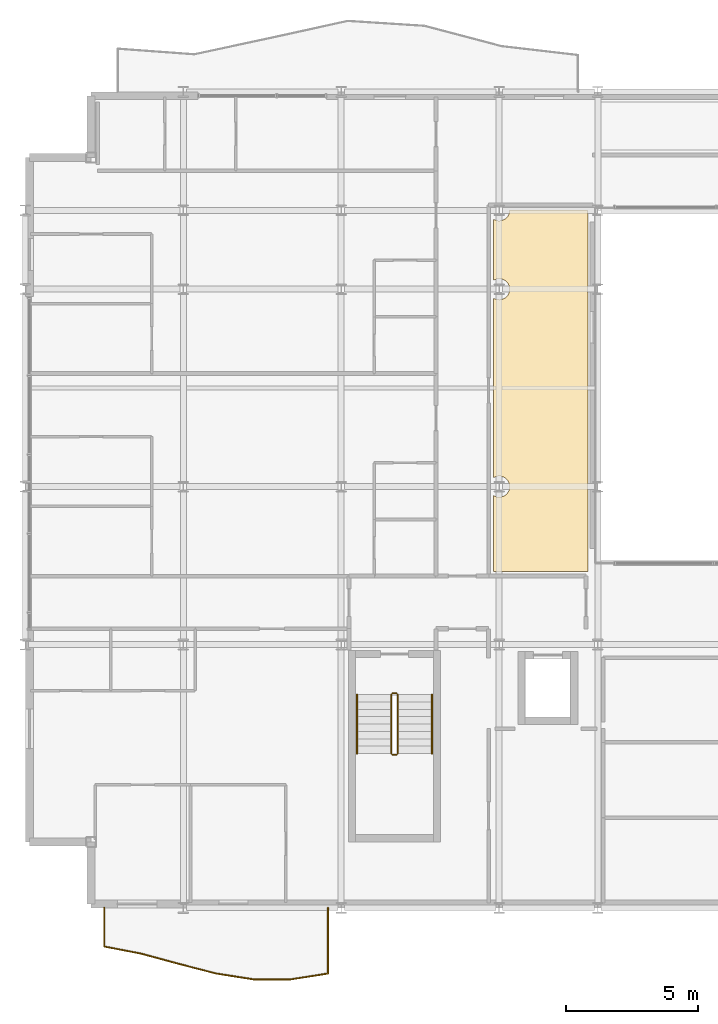
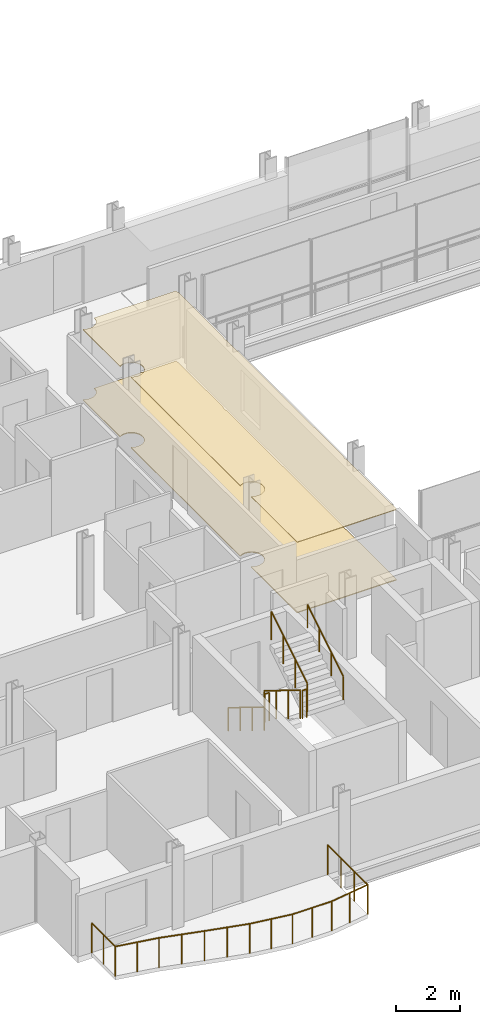
# One storey, part 39 of 41: 7 railings, 2 coverings.
"""IFC4 building model written with IfcOpenShell, lengths in metres."""

from ifc_helpers import new_model, si_unit, direction, frame, origin, origin_2d, place, context, subcontext, project, spatial, polyline, circle, outline, extrude, material, layer, layer_set, type_object, element, save


model = new_model("IFC4")

# Units and contexts
model_context = context("Model", 3, precision=1e-05, world=origin(), true_north=direction((0.0, 1.0)))
body_context = subcontext(model_context, "Body", "Model", "MODEL_VIEW")
ifc_project = project(units=[si_unit("LENGTHUNIT", "METRE"), si_unit("AREAUNIT", "SQUARE_METRE"), si_unit("VOLUMEUNIT", "CUBIC_METRE"), si_unit("PLANEANGLEUNIT", "RADIAN"), si_unit("MASSUNIT", "GRAM", prefix="KILO")], contexts=[model_context])

# Site, building, storey
site_placement = place(None, origin())
site = spatial("IfcSite", under=ifc_project, at=site_placement, CompositionType="ELEMENT")
building_placement = place(site_placement, origin())
building = spatial("IfcBuilding", under=site, at=building_placement, Name="Brevholm Reach", CompositionType="ELEMENT")
storey_placement = place(building_placement, frame((0.0, 0.0, 138.699951171875)))
storey = spatial("IfcBuildingStorey", under=building, at=storey_placement, Name="L41", CompositionType="ELEMENT", Elevation=138.699951171875)

# Coverings
ifc_material_1 = material(Name="Moisture-Resistant Skimmed Gypsum Plasterboard Ceiling", Category="gypsum")
ifc_layer_1 = layer(ifc_material_1, 0.030029296875)
ifc_layer_set_1 = layer_set([ifc_layer_1], Name="Moisture-Resistant Skimmed Gypsum Plasterboard Ceiling")
covering_type_1 = type_object("IfcCoveringType", Name="COV-CLG-GYP", PredefinedType="CEILING", material=ifc_layer_set_1)
covering_1_placement = place(storey_placement, frame((0.0, 0.0, 2.679931640625)))
element("IfcCovering", 1, at=covering_1_placement, inside=storey, type_object=covering_type_1, Name="L41 Suspended Ceiling L41-53", PredefinedType="CEILING", context=body_context, shape_type="SweptSolid", body=[
    extrude(outline(polyline([(21.3701171875, 23.623779296875), (21.3671875, 23.6162109375), (21.357666015625, 23.577880859375), (21.351806640625, 23.539306640625), (21.35009765625, 23.5), (21.351806640625, 23.460693359375), (21.357666015625, 23.422119140625), (21.3671875, 23.3837890625), (21.3701171875, 23.376220703125), (21.3701171875, 16.123779296875), (21.3671875, 16.1162109375), (21.357666015625, 16.077880859375), (21.351806640625, 16.039306640625), (21.35009765625, 16.0), (21.351806640625, 15.960693359375), (21.357666015625, 15.922119140625), (21.3671875, 15.8837890625), (21.3701171875, 15.876220703125), (21.3701171875, 12.783935546875), (17.783935546875, 12.783935546875), (17.783935546875, 15.663818359375), (17.811279296875, 15.647216796875), (17.846923828125, 15.63037109375), (17.8837890625, 15.6171875), (17.922119140625, 15.607666015625), (17.960693359375, 15.601806640625), (18.0, 15.60009765625), (18.039306640625, 15.601806640625), (18.077880859375, 15.607666015625), (18.1162109375, 15.6171875), (18.153076171875, 15.63037109375), (18.188720703125, 15.647216796875), (18.22216796875, 15.66748046875), (18.25390625, 15.69091796875), (18.28271484375, 15.71728515625), (18.30908203125, 15.74609375), (18.33251953125, 15.77783203125), (18.352783203125, 15.811279296875), (18.36962890625, 15.846923828125), (18.3828125, 15.8837890625), (18.392333984375, 15.922119140625), (18.398193359375, 15.960693359375), (18.39990234375, 16.0), (18.398193359375, 16.039306640625), (18.392333984375, 16.077880859375), (18.3828125, 16.1162109375), (18.36962890625, 16.153076171875), (18.352783203125, 16.188720703125), (18.33251953125, 16.22216796875), (18.30908203125, 16.25390625), (18.28271484375, 16.28271484375), (18.25390625, 16.30908203125), (18.22216796875, 16.33251953125), (18.188720703125, 16.352783203125), (18.153076171875, 16.36962890625), (18.1162109375, 16.3828125), (18.077880859375, 16.392333984375), (18.039306640625, 16.398193359375), (18.0, 16.39990234375), (17.960693359375, 16.398193359375), (17.922119140625, 16.392333984375), (17.8837890625, 16.3828125), (17.846923828125, 16.36962890625), (17.811279296875, 16.352783203125), (17.783935546875, 16.336181640625), (17.783935546875, 23.163818359375), (17.811279296875, 23.147216796875), (17.846923828125, 23.13037109375), (17.8837890625, 23.1171875), (17.922119140625, 23.107666015625), (17.960693359375, 23.101806640625), (18.0, 23.10009765625), (18.039306640625, 23.101806640625), (18.077880859375, 23.107666015625), (18.1162109375, 23.1171875), (18.153076171875, 23.13037109375), (18.188720703125, 23.147216796875), (18.22216796875, 23.16748046875), (18.25390625, 23.19091796875), (18.28271484375, 23.21728515625), (18.30908203125, 23.24609375), (18.33251953125, 23.27783203125), (18.352783203125, 23.311279296875), (18.36962890625, 23.346923828125), (18.3828125, 23.3837890625), (18.392333984375, 23.422119140625), (18.398193359375, 23.460693359375), (18.39990234375, 23.5), (18.398193359375, 23.539306640625), (18.392333984375, 23.577880859375), (18.3828125, 23.6162109375), (18.36962890625, 23.653076171875), (18.352783203125, 23.688720703125), (18.33251953125, 23.72216796875), (18.30908203125, 23.75390625), (18.28271484375, 23.78271484375), (18.25390625, 23.80908203125), (18.22216796875, 23.83251953125), (18.188720703125, 23.852783203125), (18.153076171875, 23.86962890625), (18.1162109375, 23.8828125), (18.077880859375, 23.892333984375), (18.039306640625, 23.898193359375), (18.0, 23.89990234375), (17.960693359375, 23.898193359375), (17.922119140625, 23.892333984375), (17.8837890625, 23.8828125), (17.846923828125, 23.86962890625), (17.811279296875, 23.852783203125), (17.783935546875, 23.836181640625), (17.783935546875, 26.163818359375), (17.811279296875, 26.147216796875), (17.846923828125, 26.13037109375), (17.8837890625, 26.1171875), (17.922119140625, 26.107666015625), (17.960693359375, 26.101806640625), (18.0, 26.10009765625), (18.039306640625, 26.101806640625), (18.077880859375, 26.107666015625), (18.1162109375, 26.1171875), (18.153076171875, 26.13037109375), (18.188720703125, 26.147216796875), (18.22216796875, 26.16748046875), (18.25390625, 26.19091796875), (18.28271484375, 26.21728515625), (18.30908203125, 26.24609375), (18.33251953125, 26.27783203125), (18.352783203125, 26.311279296875), (18.36962890625, 26.346923828125), (18.3828125, 26.3837890625), (18.392333984375, 26.422119140625), (18.398193359375, 26.460693359375), (18.39990234375, 26.5), (18.399169921875, 26.51611328125), (21.350830078125, 26.51611328125), (21.35009765625, 26.5), (21.351806640625, 26.460693359375), (21.357666015625, 26.422119140625), (21.3671875, 26.3837890625), (21.3701171875, 26.376220703125), (21.3701171875, 23.623779296875)])), origin(), (0.0, 0.0, 1.0), 0.030029296875),
])
ifc_material_2 = material(Name="Honed Portland-Aggregate Resin Terrazzo Flooring", Category="concrete")
ifc_layer_2 = layer(ifc_material_2, 0.031982421875)
ifc_layer_set_2 = layer_set([ifc_layer_2], Name="Honed Portland-Aggregate Resin Terrazzo Flooring")
covering_type_2 = type_object("IfcCoveringType", Name="COV-FLR-TRZ", PredefinedType="FLOORING", material=ifc_layer_set_2)
covering_2_placement = place(storey_placement, origin())
element("IfcCovering", 2, at=covering_2_placement, inside=storey, type_object=covering_type_2, Name="L41 Floor Finish L41-53", PredefinedType="FLOORING", context=body_context, shape_type="SweptSolid", body=[
    extrude(outline(polyline([(21.3701171875, 23.623779296875), (21.3671875, 23.6162109375), (21.357666015625, 23.577880859375), (21.351806640625, 23.539306640625), (21.35009765625, 23.5), (21.351806640625, 23.460693359375), (21.357666015625, 23.422119140625), (21.3671875, 23.3837890625), (21.3701171875, 23.376220703125), (21.3701171875, 16.123779296875), (21.3671875, 16.1162109375), (21.357666015625, 16.077880859375), (21.351806640625, 16.039306640625), (21.35009765625, 16.0), (21.351806640625, 15.960693359375), (21.357666015625, 15.922119140625), (21.3671875, 15.8837890625), (21.3701171875, 15.876220703125), (21.3701171875, 12.783935546875), (17.783935546875, 12.783935546875), (17.783935546875, 15.663818359375), (17.811279296875, 15.647216796875), (17.846923828125, 15.63037109375), (17.8837890625, 15.6171875), (17.922119140625, 15.607666015625), (17.960693359375, 15.601806640625), (18.0, 15.60009765625), (18.039306640625, 15.601806640625), (18.077880859375, 15.607666015625), (18.1162109375, 15.6171875), (18.153076171875, 15.63037109375), (18.188720703125, 15.647216796875), (18.22216796875, 15.66748046875), (18.25390625, 15.69091796875), (18.28271484375, 15.71728515625), (18.30908203125, 15.74609375), (18.33251953125, 15.77783203125), (18.352783203125, 15.811279296875), (18.36962890625, 15.846923828125), (18.3828125, 15.8837890625), (18.392333984375, 15.922119140625), (18.398193359375, 15.960693359375), (18.39990234375, 16.0), (18.398193359375, 16.039306640625), (18.392333984375, 16.077880859375), (18.3828125, 16.1162109375), (18.36962890625, 16.153076171875), (18.352783203125, 16.188720703125), (18.33251953125, 16.22216796875), (18.30908203125, 16.25390625), (18.28271484375, 16.28271484375), (18.25390625, 16.30908203125), (18.22216796875, 16.33251953125), (18.188720703125, 16.352783203125), (18.153076171875, 16.36962890625), (18.1162109375, 16.3828125), (18.077880859375, 16.392333984375), (18.039306640625, 16.398193359375), (18.0, 16.39990234375), (17.960693359375, 16.398193359375), (17.922119140625, 16.392333984375), (17.8837890625, 16.3828125), (17.846923828125, 16.36962890625), (17.811279296875, 16.352783203125), (17.783935546875, 16.336181640625), (17.783935546875, 23.163818359375), (17.811279296875, 23.147216796875), (17.846923828125, 23.13037109375), (17.8837890625, 23.1171875), (17.922119140625, 23.107666015625), (17.960693359375, 23.101806640625), (18.0, 23.10009765625), (18.039306640625, 23.101806640625), (18.077880859375, 23.107666015625), (18.1162109375, 23.1171875), (18.153076171875, 23.13037109375), (18.188720703125, 23.147216796875), (18.22216796875, 23.16748046875), (18.25390625, 23.19091796875), (18.28271484375, 23.21728515625), (18.30908203125, 23.24609375), (18.33251953125, 23.27783203125), (18.352783203125, 23.311279296875), (18.36962890625, 23.346923828125), (18.3828125, 23.3837890625), (18.392333984375, 23.422119140625), (18.398193359375, 23.460693359375), (18.39990234375, 23.5), (18.398193359375, 23.539306640625), (18.392333984375, 23.577880859375), (18.3828125, 23.6162109375), (18.36962890625, 23.653076171875), (18.352783203125, 23.688720703125), (18.33251953125, 23.72216796875), (18.30908203125, 23.75390625), (18.28271484375, 23.78271484375), (18.25390625, 23.80908203125), (18.22216796875, 23.83251953125), (18.188720703125, 23.852783203125), (18.153076171875, 23.86962890625), (18.1162109375, 23.8828125), (18.077880859375, 23.892333984375), (18.039306640625, 23.898193359375), (18.0, 23.89990234375), (17.960693359375, 23.898193359375), (17.922119140625, 23.892333984375), (17.8837890625, 23.8828125), (17.846923828125, 23.86962890625), (17.811279296875, 23.852783203125), (17.783935546875, 23.836181640625), (17.783935546875, 26.163818359375), (17.811279296875, 26.147216796875), (17.846923828125, 26.13037109375), (17.8837890625, 26.1171875), (17.922119140625, 26.107666015625), (17.960693359375, 26.101806640625), (18.0, 26.10009765625), (18.039306640625, 26.101806640625), (18.077880859375, 26.107666015625), (18.1162109375, 26.1171875), (18.153076171875, 26.13037109375), (18.188720703125, 26.147216796875), (18.22216796875, 26.16748046875), (18.25390625, 26.19091796875), (18.28271484375, 26.21728515625), (18.30908203125, 26.24609375), (18.33251953125, 26.27783203125), (18.352783203125, 26.311279296875), (18.36962890625, 26.346923828125), (18.3828125, 26.3837890625), (18.392333984375, 26.422119140625), (18.398193359375, 26.460693359375), (18.39990234375, 26.5), (18.399169921875, 26.51611328125), (21.350830078125, 26.51611328125), (21.35009765625, 26.5), (21.351806640625, 26.460693359375), (21.357666015625, 26.422119140625), (21.3671875, 26.3837890625), (21.3701171875, 26.376220703125), (21.3701171875, 23.623779296875)])), origin(), (0.0, 0.0, 1.0), 0.031982421875),
])

# Railings
ifc_material_3 = material(Name="Brushed Stainless Steel EN 1.4401 and Laminated Glass", Category="steel")
railing_type_1 = type_object("IfcRailingType", Name="RAL-BALC-1150", PredefinedType="BALUSTRADE", material=ifc_material_3)
railing_1_placement = place(storey_placement, frame((3.0, 0.0, 0.0)))
element("IfcRailing", 3, at=railing_1_placement, inside=storey, type_object=railing_type_1, Name="L41 Guard Balustrade RAL-L41-BAL-SW", PredefinedType="BALUSTRADE", context=body_context, shape_type="SweptSolid", body=[
    extrude(circle(Radius=0.02392578125, at=origin_2d()), frame((0.0, 0.0, 1.1259765625), z_axis=(0.0, -1.0, 0.0), x_axis=(1.0, 0.0, 0.0)), (0.0, 0.0, 1.0), 1.4736328125),
    extrude(circle(Radius=0.02392578125, at=origin_2d()), frame((0.0, -1.4736328125, 1.1259765625), z_axis=(0.981784941083, -0.189995603797, 0.0), x_axis=(0.189995603797, 0.981784941083, 0.0)), (0.0, 0.0, 1.0), 1.443115234375),
    extrude(circle(Radius=0.02392578125, at=origin_2d()), frame((1.416748046875, -1.747802734375, 1.1259765625), z_axis=(0.964821360478, -0.262906337628, 0.0), x_axis=(0.262906337628, 0.964821360478, 0.0)), (0.0, 0.0, 1.0), 1.46826171875),
    extrude(circle(Radius=0.02392578125, at=origin_2d()), frame((2.833251953125, -2.1337890625, 1.1259765625), z_axis=(0.968218696825, -0.250105088151, 0.0), x_axis=(0.250105088151, 0.968218696825, 0.0)), (0.0, 0.0, 1.0), 1.463134765625),
    extrude(circle(Radius=0.02392578125, at=origin_2d()), frame((4.25, -2.499755859375, 1.1259765625), z_axis=(0.988082538492, -0.153924972393, 0.0), x_axis=(0.153924972393, 0.988082538492, 0.0)), (0.0, 0.0, 1.0), 1.433837890625),
    extrude(circle(Radius=0.02392578125, at=origin_2d()), frame((5.666748046875, -2.720458984375, 1.1259765625), z_axis=(1.0, 0.0, 0.0), x_axis=(0.0, 1.0, 0.0)), (0.0, 0.0, 1.0), 1.41650390625),
    extrude(circle(Radius=0.02392578125, at=origin_2d()), frame((7.083251953125, -2.720458984375, 1.1259765625), z_axis=(0.988082538492, 0.153924972393, 0.0), x_axis=(-0.153924972393, 0.988082538492, 0.0)), (0.0, 0.0, 1.0), 1.433837890625),
    extrude(circle(Radius=0.02392578125, at=origin_2d()), frame((8.5, -2.499755859375, 1.1259765625), z_axis=(0.0, 1.0, 0.0), x_axis=(-1.0, 0.0, 0.0)), (0.0, 0.0, 1.0), 2.499755859375),
    extrude(circle(Radius=0.02099609375, at=origin_2d()), origin(), (0.0, 0.0, 1.0), 1.101806640625),
    extrude(circle(Radius=0.02099609375, at=origin_2d()), frame((0.0, -0.73681640625, 0.0)), (0.0, 0.0, 1.0), 1.101806640625),
    extrude(circle(Radius=0.02099609375, at=origin_2d()), frame((0.0, -1.4736328125, 0.0)), (0.0, 0.0, 1.0), 1.101806640625),
    extrude(circle(Radius=0.02099609375, at=origin_2d()), frame((0.70849609375, -1.61083984375, 0.0)), (0.0, 0.0, 1.0), 1.101806640625),
    extrude(circle(Radius=0.02099609375, at=origin_2d()), frame((1.416748046875, -1.747802734375, 0.0)), (0.0, 0.0, 1.0), 1.101806640625),
    extrude(circle(Radius=0.02099609375, at=origin_2d()), frame((2.125, -1.94091796875, 0.0)), (0.0, 0.0, 1.0), 1.101806640625),
    extrude(circle(Radius=0.02099609375, at=origin_2d()), frame((2.833251953125, -2.1337890625, 0.0)), (0.0, 0.0, 1.0), 1.101806640625),
    extrude(circle(Radius=0.02099609375, at=origin_2d()), frame((3.54150390625, -2.31689453125, 0.0)), (0.0, 0.0, 1.0), 1.101806640625),
    extrude(circle(Radius=0.02099609375, at=origin_2d()), frame((4.25, -2.499755859375, 0.0)), (0.0, 0.0, 1.0), 1.101806640625),
    extrude(circle(Radius=0.02099609375, at=origin_2d()), frame((4.95849609375, -2.610107421875, 0.0)), (0.0, 0.0, 1.0), 1.101806640625),
    extrude(circle(Radius=0.02099609375, at=origin_2d()), frame((5.666748046875, -2.720458984375, 0.0)), (0.0, 0.0, 1.0), 1.101806640625),
    extrude(circle(Radius=0.02099609375, at=origin_2d()), frame((6.375, -2.720458984375, 0.0)), (0.0, 0.0, 1.0), 1.101806640625),
    extrude(circle(Radius=0.02099609375, at=origin_2d()), frame((7.083251953125, -2.720458984375, 0.0)), (0.0, 0.0, 1.0), 1.101806640625),
    extrude(circle(Radius=0.02099609375, at=origin_2d()), frame((7.79150390625, -2.610107421875, 0.0)), (0.0, 0.0, 1.0), 1.101806640625),
    extrude(circle(Radius=0.02099609375, at=origin_2d()), frame((8.5, -2.499755859375, 0.0)), (0.0, 0.0, 1.0), 1.101806640625),
    extrude(circle(Radius=0.02099609375, at=origin_2d()), frame((8.5, -1.66650390625, 0.0)), (0.0, 0.0, 1.0), 1.101806640625),
    extrude(circle(Radius=0.02099609375, at=origin_2d()), frame((8.5, -0.833251953125, 0.0)), (0.0, 0.0, 1.0), 1.101806640625),
    extrude(circle(Radius=0.02099609375, at=origin_2d()), frame((8.5, 0.0, 0.0)), (0.0, 0.0, 1.0), 1.101806640625),
])
ifc_material_4 = material(Name="Brushed Stainless Steel EN 1.4401 Continuous Handrail", Category="steel")
railing_type_2 = type_object("IfcRailingType", Name="RAL-HND-950", PredefinedType="HANDRAIL", material=ifc_material_4)
railing_2_placement = place(storey_placement, frame((12.60009765625, 8.10009765625, 0.17236328125)))
element("IfcRailing", 4, at=railing_2_placement, inside=storey, type_object=railing_type_2, Name="L41 ST-1 stair handrail 1", PredefinedType="HANDRAIL", context=body_context, shape_type="SweptSolid", body=[
    extrude(circle(Radius=0.02392578125, at=origin_2d()), frame((0.0, 0.0, 0.8857421875), z_axis=(0.0, -0.85178898068, 0.523885037382), x_axis=(1.0, 0.0, 0.0)), (0.0, 0.0, 1.0), 2.629638671875),
    extrude(circle(Radius=0.02099609375, at=origin_2d()), origin(), (0.0, 0.0, 1.0), 0.86181640625),
    extrude(circle(Radius=0.02099609375, at=origin_2d()), frame((0.0, -0.74658203125, 0.459228515625)), (0.0, 0.0, 1.0), 0.86181640625),
    extrude(circle(Radius=0.02099609375, at=origin_2d()), frame((0.0, -1.493408203125, 0.91845703125)), (0.0, 0.0, 1.0), 0.86181640625),
    extrude(circle(Radius=0.02099609375, at=origin_2d()), frame((0.0, -2.239990234375, 1.377685546875)), (0.0, 0.0, 1.0), 0.86181640625),
])
railing_3_placement = place(storey_placement, frame((15.449951171875, 5.860107421875, 1.72216796875)))
element("IfcRailing", 5, at=railing_3_placement, inside=storey, type_object=railing_type_2, Name="L41 ST-1 stair handrail 2", PredefinedType="HANDRAIL", context=body_context, shape_type="SweptSolid", body=[
    extrude(circle(Radius=0.02392578125, at=origin_2d()), frame((0.0, 0.0, 0.8857421875), z_axis=(0.0, 0.851747552033, 0.523952390591), x_axis=(-1.0, 0.0, 0.0)), (0.0, 0.0, 1.0), 2.6298828125),
    extrude(circle(Radius=0.02099609375, at=origin_2d()), origin(), (0.0, 0.0, 1.0), 0.86181640625),
    extrude(circle(Radius=0.02099609375, at=origin_2d()), frame((0.0, 0.74658203125, 0.459228515625)), (0.0, 0.0, 1.0), 0.86181640625),
    extrude(circle(Radius=0.02099609375, at=origin_2d()), frame((0.0, 1.493408203125, 0.918701171875)), (0.0, 0.0, 1.0), 0.86181640625),
    extrude(circle(Radius=0.02099609375, at=origin_2d()), frame((0.0, 2.239990234375, 1.3779296875)), (0.0, 0.0, 1.0), 0.86181640625),
])
ifc_material_5 = material(Name="Painted Tubular Galvanised Steel S275JR Stair Guard", Category="steel")
railing_type_3 = type_object("IfcRailingType", Name="RAL-STG-1120", PredefinedType="BALUSTRADE", material=ifc_material_5)
railing_4_placement = place(storey_placement, frame((13.89990234375, 8.10009765625, 0.17236328125)))
element("IfcRailing", 6, at=railing_4_placement, inside=storey, type_object=railing_type_3, Name="L41 ST-1 stair guard 1", PredefinedType="BALUSTRADE", context=body_context, shape_type="SweptSolid", body=[
    extrude(circle(Radius=0.02392578125, at=origin_2d()), frame((0.0, 0.0, 1.076171875), z_axis=(0.0, -0.85178898068, 0.523885037382), x_axis=(1.0, 0.0, 0.0)), (0.0, 0.0, 1.0), 2.629638671875),
    extrude(circle(Radius=0.02099609375, at=origin_2d()), origin(), (0.0, 0.0, 1.0), 1.052001953125),
    extrude(circle(Radius=0.02099609375, at=origin_2d()), frame((0.0, -0.74658203125, 0.459228515625)), (0.0, 0.0, 1.0), 1.052001953125),
    extrude(circle(Radius=0.02099609375, at=origin_2d()), frame((0.0, -1.493408203125, 0.91845703125)), (0.0, 0.0, 1.0), 1.052001953125),
    extrude(circle(Radius=0.02099609375, at=origin_2d()), frame((0.0, -2.239990234375, 1.377685546875)), (0.0, 0.0, 1.0), 1.052001953125),
])
railing_5_placement = place(storey_placement, frame((13.949951171875, 5.81005859375, 1.550048828125)))
element("IfcRailing", 7, at=railing_5_placement, inside=storey, type_object=railing_type_3, Name="L41 ST-1 stair guard 2", PredefinedType="BALUSTRADE", context=body_context, shape_type="SweptSolid", body=[
    extrude(circle(Radius=0.02392578125, at=origin_2d()), frame((0.0, 0.0, 1.076171875), z_axis=(1.0, 0.0, 0.0), x_axis=(0.0, 1.0, 0.0)), (0.0, 0.0, 1.0), 0.150146484375),
    extrude(circle(Radius=0.02099609375, at=origin_2d()), origin(), (0.0, 0.0, 1.0), 1.052001953125),
    extrude(circle(Radius=0.02099609375, at=origin_2d()), frame((0.150146484375, 0.0, 0.0)), (0.0, 0.0, 1.0), 1.052001953125),
])
railing_6_placement = place(storey_placement, frame((14.14990234375, 5.860107421875, 1.72216796875)))
element("IfcRailing", 8, at=railing_6_placement, inside=storey, type_object=railing_type_3, Name="L41 ST-1 stair guard 3", PredefinedType="BALUSTRADE", context=body_context, shape_type="SweptSolid", body=[
    extrude(circle(Radius=0.02392578125, at=origin_2d()), frame((0.0, 0.0, 1.076171875), z_axis=(0.0, 0.851747552033, 0.523952390591), x_axis=(-1.0, 0.0, 0.0)), (0.0, 0.0, 1.0), 2.6298828125),
    extrude(circle(Radius=0.02099609375, at=origin_2d()), origin(), (0.0, 0.0, 1.0), 1.052001953125),
    extrude(circle(Radius=0.02099609375, at=origin_2d()), frame((0.0, 0.74658203125, 0.459228515625)), (0.0, 0.0, 1.0), 1.052001953125),
    extrude(circle(Radius=0.02099609375, at=origin_2d()), frame((0.0, 1.493408203125, 0.918701171875)), (0.0, 0.0, 1.0), 1.052001953125),
    extrude(circle(Radius=0.02099609375, at=origin_2d()), frame((0.0, 2.239990234375, 1.3779296875)), (0.0, 0.0, 1.0), 1.052001953125),
])
railing_7_placement = place(storey_placement, frame((13.949951171875, 8.14990234375, 0.0)))
element("IfcRailing", 9, at=railing_7_placement, inside=storey, type_object=railing_type_3, Name="L41 ST-1 stair guard 4", PredefinedType="BALUSTRADE", context=body_context, shape_type="SweptSolid", body=[
    extrude(circle(Radius=0.02392578125, at=origin_2d()), frame((0.0, 0.0, 1.076171875), z_axis=(1.0, 0.0, 0.0), x_axis=(0.0, 1.0, 0.0)), (0.0, 0.0, 1.0), 0.150146484375),
    extrude(circle(Radius=0.02099609375, at=origin_2d()), origin(), (0.0, 0.0, 1.0), 1.052001953125),
    extrude(circle(Radius=0.02099609375, at=origin_2d()), frame((0.150146484375, 0.0, 0.0)), (0.0, 0.0, 1.0), 1.052001953125),
])

save(model, "model.ifc")
